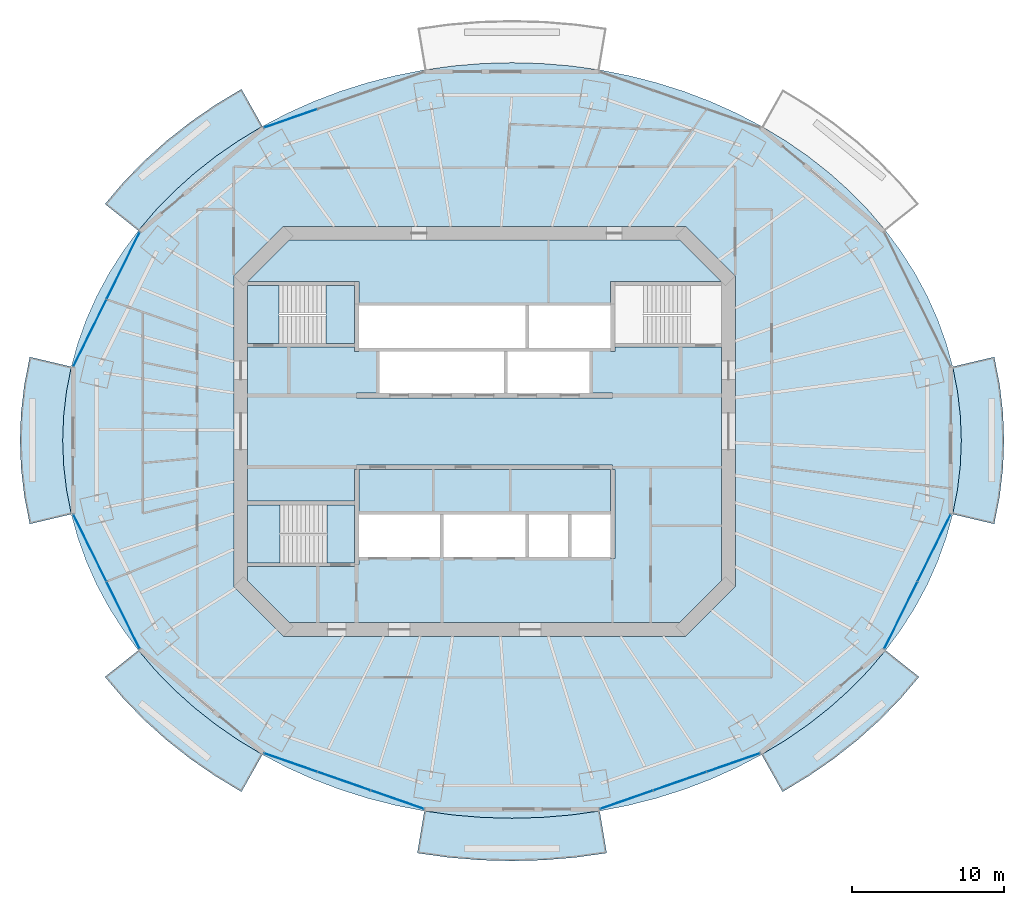
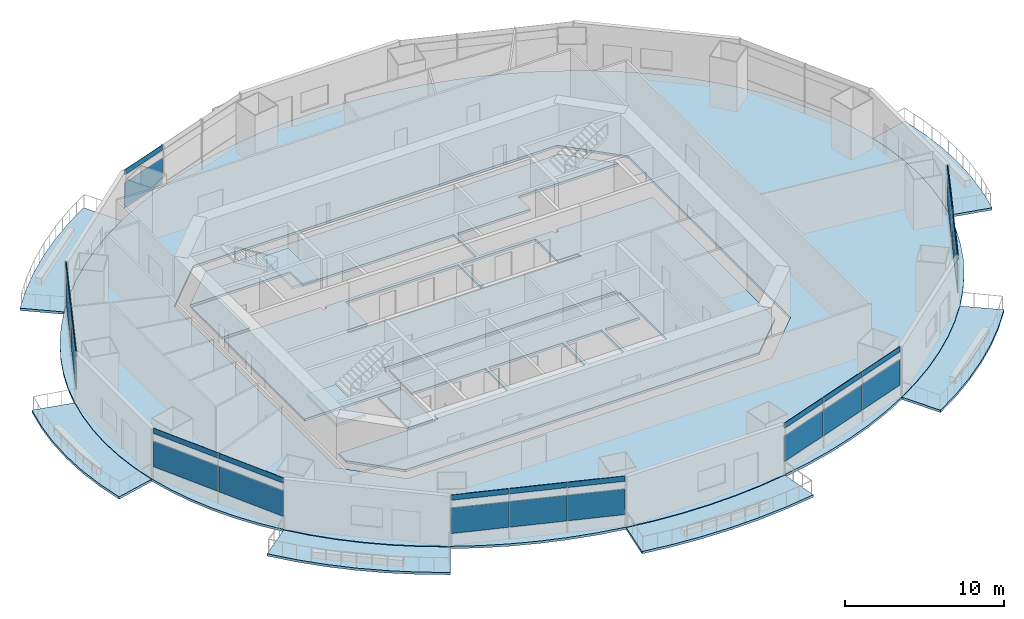
# One storey, part 9 of 16: 26 plates, 12 slabs, 14 elements without a shape of their own.
"""IFC4 building model written with IfcOpenShell, lengths in metres."""

from ifc_helpers import new_model, si_unit, direction, frame, origin, origin_2d, place, context, subcontext, project, spatial, polyline, rectangle, outline, extrude, material, layer, layer_set, type_object, element, aggregate, save


model = new_model("IFC4")

# Units and contexts
model_context = context("Model", 3, precision=1e-05, world=origin(), true_north=direction((0.0, 1.0)))
body_context = subcontext(model_context, "Body", "Model", "MODEL_VIEW")
ifc_project = project(units=[si_unit("LENGTHUNIT", "METRE"), si_unit("AREAUNIT", "SQUARE_METRE"), si_unit("VOLUMEUNIT", "CUBIC_METRE"), si_unit("PLANEANGLEUNIT", "RADIAN"), si_unit("MASSUNIT", "GRAM", prefix="KILO")], contexts=[model_context])

# Site, building, storey
site_placement = place(None, origin())
site = spatial("IfcSite", under=ifc_project, at=site_placement, CompositionType="ELEMENT")
building_placement = place(site_placement, origin())
building = spatial("IfcBuilding", under=site, at=building_placement, Name="Marenthal Gate Tower", CompositionType="ELEMENT")
storey_placement = place(building_placement, frame((0.0, 0.0, 268.949951171875)))
storey = spatial("IfcBuildingStorey", under=building, at=storey_placement, Name="L60", CompositionType="ELEMENT", Elevation=268.949951171875)

# Slabs
ifc_material_1 = material(Name="Concrete 40 MPa", Category="concrete")
ifc_layer_1 = layer(ifc_material_1, 0.179931640625)
ifc_layer_set_1 = layer_set([ifc_layer_1], Name="Balcony deck 180")
slab_type_1 = type_object("IfcSlabType", Name="Balcony deck 180", PredefinedType="USERDEFINED", material=ifc_layer_set_1)
slab_1_placement = place(storey_placement, frame((0.0, 0.0, -0.219970703125)))
element("IfcSlab", 1, at=slab_1_placement, inside=storey, type_object=slab_type_1, Name="Balcony deck L60 bay 6", ObjectType="BALCONY", PredefinedType="USERDEFINED", context=body_context, shape_type="SweptSolid", body=[
    extrude(outline(polyline([(-14.578857421875, 20.010498046875), (-16.14697265625, 19.065673828125), (-17.63818359375, 18.03662109375), (-19.046142578125, 16.927734375), (-20.364990234375, 15.743896484375), (-21.5888671875, 14.489990234375), (-22.712646484375, 13.17138671875), (-24.90478515625, 14.91357421875), (-23.656982421875, 16.37744140625), (-22.302734375, 17.76513671875), (-20.84814453125, 19.07080078125), (-19.300048828125, 20.290283203125), (-17.664794921875, 21.41845703125), (-15.9501953125, 22.45166015625), (-14.578857421875, 20.010498046875)])), origin(), (0.0, 0.0, 1.0), 0.179931640625),
])
slab_2_placement = place(storey_placement, frame((0.0, 0.0, -0.219970703125)))
element("IfcSlab", 2, at=slab_2_placement, inside=storey, type_object=slab_type_1, Name="Balcony deck L60 bay 8", ObjectType="BALCONY", PredefinedType="USERDEFINED", context=body_context, shape_type="SweptSolid", body=[
    extrude(outline(polyline([(-27.114501953125, 4.23583984375), (-27.4287109375, 2.635498046875), (-27.617919921875, 1.021240234375), (-27.680908203125, -0.60009765625), (-27.617919921875, -2.22119140625), (-27.4287109375, -3.83544921875), (-27.114501953125, -5.435791015625), (-29.83935546875, -6.08056640625), (-30.195068359375, -4.2685546875), (-30.409423828125, -2.438720703125), (-30.48095703125, -0.60009765625), (-30.409423828125, 1.23876953125), (-30.195068359375, 3.068603515625), (-29.83935546875, 4.880615234375), (-27.114501953125, 4.23583984375)])), origin(), (0.0, 0.0, 1.0), 0.179931640625),
])
slab_3_placement = place(storey_placement, frame((0.0, 0.0, -0.219970703125)))
element("IfcSlab", 3, at=slab_3_placement, inside=storey, type_object=slab_type_1, Name="Balcony deck L60 bay 10", ObjectType="BALCONY", PredefinedType="USERDEFINED", context=body_context, shape_type="SweptSolid", body=[
    extrude(outline(polyline([(-22.712646484375, -14.37158203125), (-21.5888671875, -15.68994140625), (-20.364990234375, -16.94384765625), (-19.046142578125, -18.127685546875), (-17.63818359375, -19.236572265625), (-16.14697265625, -20.265625), (-14.578857421875, -21.21044921875), (-15.9501953125, -23.651611328125), (-17.664794921875, -22.618408203125), (-19.300048828125, -21.490234375), (-20.84814453125, -20.27099609375), (-22.302734375, -18.965087890625), (-23.656982421875, -17.577392578125), (-24.90478515625, -16.113525390625), (-22.712646484375, -14.37158203125)])), origin(), (0.0, 0.0, 1.0), 0.179931640625),
])
slab_4_placement = place(storey_placement, frame((0.0, 0.0, -0.219970703125)))
element("IfcSlab", 4, at=slab_4_placement, inside=storey, type_object=slab_type_1, Name="Balcony deck L60 bay 12", ObjectType="BALCONY", PredefinedType="USERDEFINED", context=body_context, shape_type="SweptSolid", body=[
    extrude(outline(polyline([(-3.951416015625, -24.91162109375), (-2.048095703125, -25.17578125), (-0.128173828125, -25.3349609375), (1.800048828125, -25.387939453125), (3.72802734375, -25.3349609375), (5.64794921875, -25.17578125), (7.551513671875, -24.91162109375), (8.013427734375, -27.67333984375), (5.9560546875, -27.958984375), (3.882080078125, -28.130615234375), (1.800048828125, -28.18798828125), (-0.2822265625, -28.130615234375), (-2.35595703125, -27.958984375), (-4.413330078125, -27.67333984375), (-3.951416015625, -24.91162109375)])), origin(), (0.0, 0.0, 1.0), 0.179931640625),
])
slab_5_placement = place(storey_placement, frame((0.0, 0.0, -0.219970703125)))
element("IfcSlab", 5, at=slab_5_placement, inside=storey, type_object=slab_type_1, Name="Balcony deck L60 bay 14", ObjectType="BALCONY", PredefinedType="USERDEFINED", context=body_context, shape_type="SweptSolid", body=[
    extrude(outline(polyline([(18.1787109375, -21.21044921875), (19.746826171875, -20.265625), (21.23828125, -19.236572265625), (22.646240234375, -18.127685546875), (23.965087890625, -16.94384765625), (25.188720703125, -15.68994140625), (26.3125, -14.37158203125), (28.504638671875, -16.113525390625), (27.257080078125, -17.577392578125), (25.90283203125, -18.965087890625), (24.4482421875, -20.27099609375), (22.89990234375, -21.490234375), (21.264892578125, -22.618408203125), (19.55029296875, -23.651611328125), (18.1787109375, -21.21044921875)])), origin(), (0.0, 0.0, 1.0), 0.179931640625),
])
slab_6_placement = place(storey_placement, frame((0.0, 0.0, -0.219970703125)))
element("IfcSlab", 6, at=slab_6_placement, inside=storey, type_object=slab_type_1, Name="Balcony deck L60 bay 16", ObjectType="BALCONY", PredefinedType="USERDEFINED", context=body_context, shape_type="SweptSolid", body=[
    extrude(outline(polyline([(30.714599609375, -5.435791015625), (31.02880859375, -3.83544921875), (31.218017578125, -2.22119140625), (31.281005859375, -0.60009765625), (31.218017578125, 1.021240234375), (31.02880859375, 2.635498046875), (30.714599609375, 4.23583984375), (33.439208984375, 4.880615234375), (33.795166015625, 3.068603515625), (34.009521484375, 1.23876953125), (34.0810546875, -0.60009765625), (34.009521484375, -2.438720703125), (33.795166015625, -4.2685546875), (33.439208984375, -6.08056640625), (30.714599609375, -5.435791015625)])), origin(), (0.0, 0.0, 1.0), 0.179931640625),
])
ifc_material_2 = material(Name="Concrete 50 MPa", Category="concrete")
ifc_layer_2 = layer(ifc_material_2, 0.179931640625)
ifc_layer_set_2 = layer_set([ifc_layer_2], Name="Core floor slab 180")
slab_type_2 = type_object("IfcSlabType", Name="Core floor slab 180", PredefinedType="FLOOR", material=ifc_layer_set_2)
slab_7_placement = place(storey_placement, frame((0.0, 0.0, -0.179931640625)))
element("IfcSlab", 7, at=slab_7_placement, inside=storey, type_object=slab_type_2, Name="Core floor L60", PredefinedType="FLOOR", context=body_context, shape_type="SweptSolid", body=[
    extrude(outline(polyline([(12.813720703125, -12.550048828125), (-12.813720703125, -12.550048828125), (-15.550048828125, -9.813720703125), (-15.550048828125, -8.875), (-8.550048828125, -8.875), (-8.550048828125, -8.75), (-8.25, -8.75), (-8.25, -8.239990234375), (-5.60009765625, -8.239990234375), (-2.909912109375, -8.239990234375), (-2.909912109375, -5.4599609375), (-5.60009765625, -5.4599609375), (-8.25, -5.4599609375), (-8.25, -2.5), (8.25, -2.5), (8.25, -5.4599609375), (5.7099609375, -5.4599609375), (5.7099609375, -8.239990234375), (8.25, -8.239990234375), (8.25, -8.35009765625), (8.550048828125, -8.35009765625), (8.550048828125, -2.5), (8.39990234375, -2.5), (8.39990234375, -2.199951171875), (-8.39990234375, -2.199951171875), (-8.39990234375, -2.5), (-8.550048828125, -2.5), (-8.550048828125, -4.574951171875), (-15.550048828125, -4.574951171875), (-15.550048828125, 5.52490234375), (-8.550048828125, 5.52490234375), (-8.550048828125, 5.239990234375), (-8.25, 5.239990234375), (-8.25, 5.4599609375), (-5.60009765625, 5.4599609375), (-2.800048828125, 5.4599609375), (0.0, 5.4599609375), (2.68994140625, 5.4599609375), (2.68994140625, 8.239990234375), (0.0, 8.239990234375), (-2.800048828125, 8.239990234375), (-5.60009765625, 8.239990234375), (-8.25, 8.239990234375), (-8.25, 8.35009765625), (-8.25, 9.824951171875), (-8.550048828125, 9.824951171875), (-15.53857421875, 9.824951171875), (-12.813720703125, 12.550048828125), (12.813720703125, 12.550048828125), (15.53857421875, 9.824951171875), (8.550048828125, 9.824951171875), (8.25, 9.824951171875), (8.25, 8.35009765625), (8.25, 8.239990234375), (5.60009765625, 8.239990234375), (2.909912109375, 8.239990234375), (2.909912109375, 5.4599609375), (5.60009765625, 5.4599609375), (8.25, 5.4599609375), (8.25, 5.239990234375), (8.550048828125, 5.239990234375), (8.550048828125, 5.52490234375), (15.550048828125, 5.52490234375), (15.550048828125, -9.813720703125), (12.813720703125, -12.550048828125)]), holes=[polyline([(2.68994140625, -8.239990234375), (2.68994140625, -5.4599609375), (0.0, -5.4599609375), (-2.68994140625, -5.4599609375), (-2.68994140625, -8.239990234375), (0.0, -8.239990234375), (2.68994140625, -8.239990234375)]), polyline([(-6.889892578125, 5.239990234375), (-6.889892578125, 2.5), (-8.39990234375, 2.5), (-8.39990234375, 2.199951171875), (8.39990234375, 2.199951171875), (8.39990234375, 2.5), (6.889892578125, 2.5), (6.889892578125, 5.239990234375), (4.199951171875, 5.239990234375), (1.510009765625, 5.239990234375), (1.510009765625, 2.5), (1.2900390625, 2.5), (1.2900390625, 5.239990234375), (-1.39990234375, 5.239990234375), (-4.199951171875, 5.239990234375), (-6.889892578125, 5.239990234375)]), polyline([(5.489990234375, -5.4599609375), (2.909912109375, -5.4599609375), (2.909912109375, -8.239990234375), (5.489990234375, -8.239990234375), (5.489990234375, -5.4599609375)])]), origin(), (0.0, 0.0, 1.0), 0.179931640625),
])
slab_8_placement = place(storey_placement, frame((0.0, 0.0, -0.179931640625)))
element("IfcSlab", 8, at=slab_8_placement, inside=storey, type_object=slab_type_2, Name="Core floor L60", PredefinedType="FLOOR", context=body_context, shape_type="SweptSolid", body=[
    extrude(outline(polyline([(-15.550048828125, 9.574951171875), (-13.5, 9.574951171875), (-13.5, 5.77490234375), (-15.550048828125, 5.77490234375), (-15.550048828125, 9.574951171875)])), origin(), (0.0, 0.0, 1.0), 0.179931640625),
])
slab_9_placement = place(storey_placement, frame((0.0, 0.0, -0.179931640625)))
element("IfcSlab", 9, at=slab_9_placement, inside=storey, type_object=slab_type_2, Name="Core floor L60", PredefinedType="FLOOR", context=body_context, shape_type="SweptSolid", body=[
    extrude(outline(polyline([(-8.550048828125, -8.625), (-10.35009765625, -8.625), (-10.35009765625, -4.824951171875), (-8.550048828125, -4.824951171875), (-8.550048828125, -8.625)])), origin(), (0.0, 0.0, 1.0), 0.179931640625),
])
ifc_material_3 = material(Name="Concrete 35 MPa", Category="concrete")
ifc_layer_3 = layer(ifc_material_3, 0.179931640625)
ifc_layer_set_3 = layer_set([ifc_layer_3], Name="Floor slab 180")
slab_type_3 = type_object("IfcSlabType", Name="Floor slab 180", PredefinedType="FLOOR", material=ifc_layer_set_3)
slab_10_placement = place(storey_placement, frame((0.0, 0.0, -0.179931640625)))
element("IfcSlab", 10, at=slab_10_placement, inside=storey, type_object=slab_type_3, Name="SL-L60-01", PredefinedType="FLOOR", context=body_context, shape_type="SweptSolid", body=[
    extrude(outline(polyline([(31.281005859375, -0.60009765625), (31.218017578125, 1.021240234375), (31.02880859375, 2.635498046875), (30.714599609375, 4.23583984375), (30.276611328125, 5.815673828125), (29.71630859375, 7.367919921875), (29.036865234375, 8.885986328125), (28.24072265625, 10.363525390625), (27.331298828125, 11.7939453125), (26.3125, 13.17138671875), (25.188720703125, 14.489990234375), (23.965087890625, 15.743896484375), (22.646240234375, 16.927734375), (21.23828125, 18.03662109375), (19.746826171875, 19.065673828125), (18.1787109375, 20.010498046875), (16.54052734375, 20.866943359375), (14.839111328125, 21.631591796875), (13.081787109375, 22.301025390625), (11.2763671875, 22.87255859375), (9.43017578125, 23.343505859375), (7.551513671875, 23.711669921875), (5.64794921875, 23.975830078125), (3.72802734375, 24.135009765625), (1.800048828125, 24.18798828125), (-0.128173828125, 24.135009765625), (-2.048095703125, 23.975830078125), (-3.951416015625, 23.711669921875), (-5.830078125, 23.343505859375), (-7.676513671875, 22.87255859375), (-9.48193359375, 22.301025390625), (-11.239013671875, 21.631591796875), (-12.9404296875, 20.866943359375), (-14.578857421875, 20.010498046875), (-16.14697265625, 19.065673828125), (-17.63818359375, 18.03662109375), (-19.046142578125, 16.927734375), (-20.364990234375, 15.743896484375), (-21.5888671875, 14.489990234375), (-22.712646484375, 13.17138671875), (-23.731201171875, 11.7939453125), (-24.640625, 10.363525390625), (-25.43701171875, 8.885986328125), (-26.116455078125, 7.367919921875), (-26.676513671875, 5.815673828125), (-27.114501953125, 4.23583984375), (-27.4287109375, 2.635498046875), (-27.617919921875, 1.021240234375), (-27.680908203125, -0.60009765625), (-27.617919921875, -2.22119140625), (-27.4287109375, -3.83544921875), (-27.114501953125, -5.435791015625), (-26.676513671875, -7.015625), (-26.116455078125, -8.56787109375), (-25.43701171875, -10.0859375), (-24.640625, -11.5634765625), (-23.731201171875, -12.993896484375), (-22.712646484375, -14.37158203125), (-21.5888671875, -15.68994140625), (-20.364990234375, -16.94384765625), (-19.046142578125, -18.127685546875), (-17.63818359375, -19.236572265625), (-16.14697265625, -20.265625), (-14.578857421875, -21.21044921875), (-12.9404296875, -22.06689453125), (-11.239013671875, -22.831787109375), (-9.48193359375, -23.501220703125), (-7.676513671875, -24.072509765625), (-5.830078125, -24.54345703125), (-3.951416015625, -24.91162109375), (-2.048095703125, -25.17578125), (-0.128173828125, -25.3349609375), (1.800048828125, -25.387939453125), (3.72802734375, -25.3349609375), (5.64794921875, -25.17578125), (7.551513671875, -24.91162109375), (9.43017578125, -24.54345703125), (11.2763671875, -24.072509765625), (13.081787109375, -23.501220703125), (14.839111328125, -22.831787109375), (16.54052734375, -22.06689453125), (18.1787109375, -21.21044921875), (19.746826171875, -20.265625), (21.23828125, -19.236572265625), (22.646240234375, -18.127685546875), (23.965087890625, -16.94384765625), (25.188720703125, -15.68994140625), (26.3125, -14.37158203125), (27.331298828125, -12.993896484375), (28.24072265625, -11.5634765625), (29.036865234375, -10.0859375), (29.71630859375, -8.56787109375), (30.276611328125, -7.015625), (30.714599609375, -5.435791015625), (31.02880859375, -3.83544921875), (31.218017578125, -2.22119140625), (31.281005859375, -0.60009765625)]), holes=[polyline([(13.186279296875, -13.449951171875), (16.449951171875, -10.186279296875), (16.449951171875, 10.186279296875), (13.186279296875, 13.449951171875), (-13.186279296875, 13.449951171875), (-16.449951171875, 10.186279296875), (-16.449951171875, -10.186279296875), (-13.186279296875, -13.449951171875), (13.186279296875, -13.449951171875)])]), origin(), (0.0, 0.0, 1.0), 0.179931640625),
])

# Curtain wall, plate
ifc_material_4 = material(Name="Aluminium and glass", Category="aluminium")
curtain_wall_type_1 = type_object("IfcCurtainWallType", Name="Curtain wall typical mid", PredefinedType="NOTDEFINED", material=ifc_material_4)
curtain_wall_1_placement = place(storey_placement, origin())
curtain_wall_1 = element("IfcCurtainWall", 11, at=curtain_wall_1_placement, inside=storey, type_object=curtain_wall_type_1, Name="Curtain wall L60 bay 5", PredefinedType="NOTDEFINED")
ifc_material_5 = material(Name="Glass, laminated insulating unit", Category="glass")
ifc_layer_4 = layer(ifc_material_5, 0.030029296875)
ifc_layer_set_4 = layer_set([ifc_layer_4], Name="Glass panel 30 typical mid")
plate_type_1 = type_object("IfcPlateType", Name="Glass panel 30 typical mid", PredefinedType="CURTAIN_PANEL", material=ifc_layer_set_4)
plate_1_placement = place(storey_placement, frame((-12.729248046875, 20.53125, 0.89990234375), z_axis=(0.0, 0.0, 1.0), x_axis=(-0.944444900709, -0.328669787971, 0.0)))
plate_1 = element("IfcPlate", 12, at=plate_1_placement, type_object=plate_type_1, Name="Glass panel L60 bay 5.3", PredefinedType="CURTAIN_PANEL", context=body_context, shape_type="SweptSolid", body=[
    extrude(rectangle(XDim=3.655517578125, YDim=0.030029296875, at=origin_2d()), origin(), (0.0, 0.0, 1.0), 1.949951171875),
])
aggregate(curtain_wall_1, [plate_1])

# Curtain wall, plates
curtain_wall_2_placement = place(storey_placement, origin())
curtain_wall_2 = element("IfcCurtainWall", 13, at=curtain_wall_2_placement, inside=storey, type_object=curtain_wall_type_1, Name="Curtain wall L60 bay 7", PredefinedType="NOTDEFINED")
plate_2_placement = place(storey_placement, frame((-23.71533203125, 10.8681640625, 0.89990234375), z_axis=(0.0, 0.0, 1.0), x_axis=(-0.442191564697, -0.896920632002, 0.0)))
plate_2 = element("IfcPlate", 14, at=plate_2_placement, type_object=plate_type_1, Name="Glass panel L60 bay 7.1", PredefinedType="CURTAIN_PANEL", context=body_context, shape_type="SweptSolid", body=[
    extrude(rectangle(XDim=4.8671875, YDim=0.030029296875, at=origin_2d()), origin(), (0.0, 0.0, 1.0), 1.949951171875),
])
plate_3_placement = place(storey_placement, frame((-25.894287109375, 6.448974609375, 0.89990234375), z_axis=(0.0, 0.0, 1.0), x_axis=(-0.442191564697, -0.896920632002, 0.0)))
plate_3 = element("IfcPlate", 15, at=plate_3_placement, type_object=plate_type_1, Name="Glass panel L60 bay 7.2", PredefinedType="CURTAIN_PANEL", context=body_context, shape_type="SweptSolid", body=[
    extrude(rectangle(XDim=4.8671875, YDim=0.030029296875, at=origin_2d()), origin(), (0.0, 0.0, 1.0), 1.949951171875),
])
aggregate(curtain_wall_2, [plate_2, plate_3])

curtain_wall_3_placement = place(storey_placement, origin())
curtain_wall_3 = element("IfcCurtainWall", 16, at=curtain_wall_3_placement, inside=storey, type_object=curtain_wall_type_1, Name="Curtain wall L60 bay 9", PredefinedType="NOTDEFINED")
plate_4_placement = place(storey_placement, frame((-25.894287109375, -7.64892578125, 0.89990234375), z_axis=(0.0, 0.0, 1.0), x_axis=(0.442191564697, -0.896920632002, 0.0)))
plate_4 = element("IfcPlate", 17, at=plate_4_placement, type_object=plate_type_1, Name="Glass panel L60 bay 9.1", PredefinedType="CURTAIN_PANEL", context=body_context, shape_type="SweptSolid", body=[
    extrude(rectangle(XDim=4.8671875, YDim=0.030029296875, at=origin_2d()), origin(), (0.0, 0.0, 1.0), 1.949951171875),
])
plate_5_placement = place(storey_placement, frame((-23.71533203125, -12.068359375, 0.89990234375), z_axis=(0.0, 0.0, 1.0), x_axis=(0.442191564697, -0.896920632002, 0.0)))
plate_5 = element("IfcPlate", 18, at=plate_5_placement, type_object=plate_type_1, Name="Glass panel L60 bay 9.2", PredefinedType="CURTAIN_PANEL", context=body_context, shape_type="SweptSolid", body=[
    extrude(rectangle(XDim=4.8671875, YDim=0.030029296875, at=origin_2d()), origin(), (0.0, 0.0, 1.0), 1.949951171875),
])
aggregate(curtain_wall_3, [plate_4, plate_5])

curtain_wall_4_placement = place(storey_placement, origin())
curtain_wall_4 = element("IfcCurtainWall", 19, at=curtain_wall_4_placement, inside=storey, type_object=curtain_wall_type_1, Name="Curtain wall L60 bay 11", PredefinedType="NOTDEFINED")
plate_6_placement = place(storey_placement, frame((-12.729248046875, -21.731201171875, 0.89990234375), z_axis=(0.0, 0.0, 1.0), x_axis=(0.944444900709, -0.328669787971, 0.0)))
plate_6 = element("IfcPlate", 20, at=plate_6_placement, type_object=plate_type_1, Name="Glass panel L60 bay 11.1", PredefinedType="CURTAIN_PANEL", context=body_context, shape_type="SweptSolid", body=[
    extrude(rectangle(XDim=3.655517578125, YDim=0.030029296875, at=origin_2d()), origin(), (0.0, 0.0, 1.0), 1.949951171875),
])
plate_7_placement = place(storey_placement, frame((-9.219970703125, -22.952392578125, 0.89990234375), z_axis=(0.0, 0.0, 1.0), x_axis=(0.944444900709, -0.328669787971, 0.0)))
plate_7 = element("IfcPlate", 21, at=plate_7_placement, type_object=plate_type_1, Name="Glass panel L60 bay 11.2", PredefinedType="CURTAIN_PANEL", context=body_context, shape_type="SweptSolid", body=[
    extrude(rectangle(XDim=3.655517578125, YDim=0.030029296875, at=origin_2d()), origin(), (0.0, 0.0, 1.0), 1.949951171875),
])
plate_8_placement = place(storey_placement, frame((-5.7109375, -24.173583984375, 0.89990234375), z_axis=(0.0, 0.0, 1.0), x_axis=(0.944444900709, -0.328669787971, 0.0)))
plate_8 = element("IfcPlate", 22, at=plate_8_placement, type_object=plate_type_1, Name="Glass panel L60 bay 11.3", PredefinedType="CURTAIN_PANEL", context=body_context, shape_type="SweptSolid", body=[
    extrude(rectangle(XDim=3.655517578125, YDim=0.030029296875, at=origin_2d()), origin(), (0.0, 0.0, 1.0), 1.949951171875),
])
aggregate(curtain_wall_4, [plate_6, plate_7, plate_8])

curtain_wall_5_placement = place(storey_placement, origin())
curtain_wall_5 = element("IfcCurtainWall", 23, at=curtain_wall_5_placement, inside=storey, type_object=curtain_wall_type_1, Name="Curtain wall L60 bay 13", PredefinedType="NOTDEFINED")
plate_9_placement = place(storey_placement, frame((9.31103515625, -24.173583984375, 0.89990234375), z_axis=(0.0, 0.0, 1.0), x_axis=(0.944444900709, 0.328669787971, 0.0)))
plate_9 = element("IfcPlate", 24, at=plate_9_placement, type_object=plate_type_1, Name="Glass panel L60 bay 13.1", PredefinedType="CURTAIN_PANEL", context=body_context, shape_type="SweptSolid", body=[
    extrude(rectangle(XDim=3.655517578125, YDim=0.030029296875, at=origin_2d()), origin(), (0.0, 0.0, 1.0), 1.949951171875),
])
plate_10_placement = place(storey_placement, frame((12.820068359375, -22.952392578125, 0.89990234375), z_axis=(0.0, 0.0, 1.0), x_axis=(0.944444900709, 0.328669787971, 0.0)))
plate_10 = element("IfcPlate", 25, at=plate_10_placement, type_object=plate_type_1, Name="Glass panel L60 bay 13.2", PredefinedType="CURTAIN_PANEL", context=body_context, shape_type="SweptSolid", body=[
    extrude(rectangle(XDim=3.655517578125, YDim=0.030029296875, at=origin_2d()), origin(), (0.0, 0.0, 1.0), 1.949951171875),
])
plate_11_placement = place(storey_placement, frame((16.3291015625, -21.731201171875, 0.89990234375), z_axis=(0.0, 0.0, 1.0), x_axis=(0.944444900709, 0.328669787971, 0.0)))
plate_11 = element("IfcPlate", 26, at=plate_11_placement, type_object=plate_type_1, Name="Glass panel L60 bay 13.3", PredefinedType="CURTAIN_PANEL", context=body_context, shape_type="SweptSolid", body=[
    extrude(rectangle(XDim=3.655517578125, YDim=0.030029296875, at=origin_2d()), origin(), (0.0, 0.0, 1.0), 1.949951171875),
])
aggregate(curtain_wall_5, [plate_9, plate_10, plate_11])

curtain_wall_6_placement = place(storey_placement, origin())
curtain_wall_6 = element("IfcCurtainWall", 27, at=curtain_wall_6_placement, inside=storey, type_object=curtain_wall_type_1, Name="Curtain wall L60 bay 15", PredefinedType="NOTDEFINED")
plate_12_placement = place(storey_placement, frame((27.3154296875, -12.068359375, 0.89990234375), z_axis=(0.0, 0.0, 1.0), x_axis=(0.442191564697, 0.896920632002, 0.0)))
plate_12 = element("IfcPlate", 28, at=plate_12_placement, type_object=plate_type_1, Name="Glass panel L60 bay 15.1", PredefinedType="CURTAIN_PANEL", context=body_context, shape_type="SweptSolid", body=[
    extrude(rectangle(XDim=4.8671875, YDim=0.030029296875, at=origin_2d()), origin(), (0.0, 0.0, 1.0), 1.949951171875),
])
plate_13_placement = place(storey_placement, frame((29.494140625, -7.64892578125, 0.89990234375), z_axis=(0.0, 0.0, 1.0), x_axis=(0.442191564697, 0.896920632002, 0.0)))
plate_13 = element("IfcPlate", 29, at=plate_13_placement, type_object=plate_type_1, Name="Glass panel L60 bay 15.2", PredefinedType="CURTAIN_PANEL", context=body_context, shape_type="SweptSolid", body=[
    extrude(rectangle(XDim=4.8671875, YDim=0.030029296875, at=origin_2d()), origin(), (0.0, 0.0, 1.0), 1.949951171875),
])
aggregate(curtain_wall_6, [plate_12, plate_13])

# Stair, slab
ifc_material_6 = material(Name="Concrete 40 MPa", Category="concrete")
stair_type = type_object("IfcStairType", Name="Exit stair 1800", PredefinedType="HALF_TURN_STAIR", material=ifc_material_6)
stair_1_placement = place(storey_placement, origin())
stair_1 = element("IfcStair", 30, at=stair_1_placement, inside=storey, type_object=stair_type, Name="Stair ST1", PredefinedType="HALF_TURN_STAIR")
ifc_material_7 = material(Name="Concrete 40 MPa", Category="concrete")
ifc_layer_5 = layer(ifc_material_7, 0.199951171875)
ifc_layer_set_5 = layer_set([ifc_layer_5], Name="Stair landing 200")
slab_type_4 = type_object("IfcSlabType", Name="Stair landing 200", PredefinedType="LANDING", material=ifc_layer_set_5)
slab_11_placement = place(storey_placement, frame((0.0, 0.0, 1.875)))
slab_11 = element("IfcSlab", 31, at=slab_11_placement, type_object=slab_type_4, Name="ST1 landing 1", PredefinedType="LANDING", context=body_context, shape_type="SweptSolid", body=[
    extrude(outline(polyline([(-10.419921875, 5.77490234375), (-8.550048828125, 5.77490234375), (-8.550048828125, 9.574951171875), (-10.419921875, 9.574951171875), (-10.419921875, 5.77490234375)])), origin(), (0.0, 0.0, 1.0), 0.199951171875),
])
aggregate(stair_1, [slab_11])

stair_2_placement = place(storey_placement, origin())
stair_2 = element("IfcStair", 32, at=stair_2_placement, inside=storey, type_object=stair_type, Name="Stair ST2", PredefinedType="HALF_TURN_STAIR")
slab_12_placement = place(storey_placement, frame((0.0, 0.0, 1.875)))
slab_12 = element("IfcSlab", 33, at=slab_12_placement, type_object=slab_type_4, Name="ST2 landing 1", PredefinedType="LANDING", context=body_context, shape_type="SweptSolid", body=[
    extrude(outline(polyline([(-15.550048828125, -8.625), (-13.429931640625, -8.625), (-13.429931640625, -4.824951171875), (-15.550048828125, -4.824951171875), (-15.550048828125, -8.625)])), origin(), (0.0, 0.0, 1.0), 0.199951171875),
])
aggregate(stair_2, [slab_12])

# Curtain wall, plate
ifc_material_8 = material(Name="Aluminium and glass", Category="aluminium")
curtain_wall_type_2 = type_object("IfcCurtainWallType", Name="Curtain wall crown clad", PredefinedType="NOTDEFINED", material=ifc_material_8)
curtain_wall_7_placement = place(storey_placement, origin())
curtain_wall_7 = element("IfcCurtainWall", 34, at=curtain_wall_7_placement, inside=storey, type_object=curtain_wall_type_2, Name="Curtain wall L60 bay 5 head band", PredefinedType="NOTDEFINED")
ifc_material_9 = material(Name="Terracotta cladding panel", Category="masonry")
ifc_layer_6 = layer(ifc_material_9, 0.031982421875)
ifc_layer_set_6 = layer_set([ifc_layer_6], Name="Terracotta panel 32 crown clad")
plate_type_2 = type_object("IfcPlateType", Name="Terracotta panel 32 crown clad", PredefinedType="CURTAIN_PANEL", material=ifc_layer_set_6)
plate_14_placement = place(storey_placement, frame((-12.729248046875, 20.53125, 3.4501953125), z_axis=(0.0, 0.0, 1.0), x_axis=(-0.944444900709, -0.328669787971, 0.0)))
plate_14 = element("IfcPlate", 35, at=plate_14_placement, type_object=plate_type_2, Name="Terracotta panel L60 bay 5.3 head band", PredefinedType="CURTAIN_PANEL", context=body_context, shape_type="SweptSolid", body=[
    extrude(rectangle(XDim=3.655517578125, YDim=0.031982421875, at=origin_2d()), origin(), (0.0, 0.0, 1.0), 0.39990234375),
])
aggregate(curtain_wall_7, [plate_14])

# Curtain wall, plates
curtain_wall_8_placement = place(storey_placement, origin())
curtain_wall_8 = element("IfcCurtainWall", 36, at=curtain_wall_8_placement, inside=storey, type_object=curtain_wall_type_2, Name="Curtain wall L60 bay 7 head band", PredefinedType="NOTDEFINED")
plate_15_placement = place(storey_placement, frame((-23.71533203125, 10.8681640625, 3.4501953125), z_axis=(0.0, 0.0, 1.0), x_axis=(-0.442191564697, -0.896920632002, 0.0)))
plate_15 = element("IfcPlate", 37, at=plate_15_placement, type_object=plate_type_2, Name="Terracotta panel L60 bay 7.1 head band", PredefinedType="CURTAIN_PANEL", context=body_context, shape_type="SweptSolid", body=[
    extrude(rectangle(XDim=4.8671875, YDim=0.031982421875, at=origin_2d()), origin(), (0.0, 0.0, 1.0), 0.39990234375),
])
plate_16_placement = place(storey_placement, frame((-25.894287109375, 6.448974609375, 3.4501953125), z_axis=(0.0, 0.0, 1.0), x_axis=(-0.442191564697, -0.896920632002, 0.0)))
plate_16 = element("IfcPlate", 38, at=plate_16_placement, type_object=plate_type_2, Name="Terracotta panel L60 bay 7.2 head band", PredefinedType="CURTAIN_PANEL", context=body_context, shape_type="SweptSolid", body=[
    extrude(rectangle(XDim=4.8671875, YDim=0.031982421875, at=origin_2d()), origin(), (0.0, 0.0, 1.0), 0.39990234375),
])
aggregate(curtain_wall_8, [plate_15, plate_16])

curtain_wall_9_placement = place(storey_placement, origin())
curtain_wall_9 = element("IfcCurtainWall", 39, at=curtain_wall_9_placement, inside=storey, type_object=curtain_wall_type_2, Name="Curtain wall L60 bay 9 head band", PredefinedType="NOTDEFINED")
plate_17_placement = place(storey_placement, frame((-25.894287109375, -7.64892578125, 3.4501953125), z_axis=(0.0, 0.0, 1.0), x_axis=(0.442191564697, -0.896920632002, 0.0)))
plate_17 = element("IfcPlate", 40, at=plate_17_placement, type_object=plate_type_2, Name="Terracotta panel L60 bay 9.1 head band", PredefinedType="CURTAIN_PANEL", context=body_context, shape_type="SweptSolid", body=[
    extrude(rectangle(XDim=4.8671875, YDim=0.031982421875, at=origin_2d()), origin(), (0.0, 0.0, 1.0), 0.39990234375),
])
plate_18_placement = place(storey_placement, frame((-23.71533203125, -12.068359375, 3.4501953125), z_axis=(0.0, 0.0, 1.0), x_axis=(0.442191564697, -0.896920632002, 0.0)))
plate_18 = element("IfcPlate", 41, at=plate_18_placement, type_object=plate_type_2, Name="Terracotta panel L60 bay 9.2 head band", PredefinedType="CURTAIN_PANEL", context=body_context, shape_type="SweptSolid", body=[
    extrude(rectangle(XDim=4.8671875, YDim=0.031982421875, at=origin_2d()), origin(), (0.0, 0.0, 1.0), 0.39990234375),
])
aggregate(curtain_wall_9, [plate_17, plate_18])

curtain_wall_10_placement = place(storey_placement, origin())
curtain_wall_10 = element("IfcCurtainWall", 42, at=curtain_wall_10_placement, inside=storey, type_object=curtain_wall_type_2, Name="Curtain wall L60 bay 11 head band", PredefinedType="NOTDEFINED")
plate_19_placement = place(storey_placement, frame((-12.729248046875, -21.731201171875, 3.4501953125), z_axis=(0.0, 0.0, 1.0), x_axis=(0.944444900709, -0.328669787971, 0.0)))
plate_19 = element("IfcPlate", 43, at=plate_19_placement, type_object=plate_type_2, Name="Terracotta panel L60 bay 11.1 head band", PredefinedType="CURTAIN_PANEL", context=body_context, shape_type="SweptSolid", body=[
    extrude(rectangle(XDim=3.655517578125, YDim=0.031982421875, at=origin_2d()), origin(), (0.0, 0.0, 1.0), 0.39990234375),
])
plate_20_placement = place(storey_placement, frame((-9.219970703125, -22.952392578125, 3.4501953125), z_axis=(0.0, 0.0, 1.0), x_axis=(0.944444900709, -0.328669787971, 0.0)))
plate_20 = element("IfcPlate", 44, at=plate_20_placement, type_object=plate_type_2, Name="Terracotta panel L60 bay 11.2 head band", PredefinedType="CURTAIN_PANEL", context=body_context, shape_type="SweptSolid", body=[
    extrude(rectangle(XDim=3.655517578125, YDim=0.031982421875, at=origin_2d()), origin(), (0.0, 0.0, 1.0), 0.39990234375),
])
plate_21_placement = place(storey_placement, frame((-5.7109375, -24.173583984375, 3.4501953125), z_axis=(0.0, 0.0, 1.0), x_axis=(0.944444900709, -0.328669787971, 0.0)))
plate_21 = element("IfcPlate", 45, at=plate_21_placement, type_object=plate_type_2, Name="Terracotta panel L60 bay 11.3 head band", PredefinedType="CURTAIN_PANEL", context=body_context, shape_type="SweptSolid", body=[
    extrude(rectangle(XDim=3.655517578125, YDim=0.031982421875, at=origin_2d()), origin(), (0.0, 0.0, 1.0), 0.39990234375),
])
aggregate(curtain_wall_10, [plate_19, plate_20, plate_21])

curtain_wall_11_placement = place(storey_placement, origin())
curtain_wall_11 = element("IfcCurtainWall", 46, at=curtain_wall_11_placement, inside=storey, type_object=curtain_wall_type_2, Name="Curtain wall L60 bay 13 head band", PredefinedType="NOTDEFINED")
plate_22_placement = place(storey_placement, frame((9.31103515625, -24.173583984375, 3.4501953125), z_axis=(0.0, 0.0, 1.0), x_axis=(0.944444900709, 0.328669787971, 0.0)))
plate_22 = element("IfcPlate", 47, at=plate_22_placement, type_object=plate_type_2, Name="Terracotta panel L60 bay 13.1 head band", PredefinedType="CURTAIN_PANEL", context=body_context, shape_type="SweptSolid", body=[
    extrude(rectangle(XDim=3.655517578125, YDim=0.031982421875, at=origin_2d()), origin(), (0.0, 0.0, 1.0), 0.39990234375),
])
plate_23_placement = place(storey_placement, frame((12.820068359375, -22.952392578125, 3.4501953125), z_axis=(0.0, 0.0, 1.0), x_axis=(0.944444900709, 0.328669787971, 0.0)))
plate_23 = element("IfcPlate", 48, at=plate_23_placement, type_object=plate_type_2, Name="Terracotta panel L60 bay 13.2 head band", PredefinedType="CURTAIN_PANEL", context=body_context, shape_type="SweptSolid", body=[
    extrude(rectangle(XDim=3.655517578125, YDim=0.031982421875, at=origin_2d()), origin(), (0.0, 0.0, 1.0), 0.39990234375),
])
plate_24_placement = place(storey_placement, frame((16.3291015625, -21.731201171875, 3.4501953125), z_axis=(0.0, 0.0, 1.0), x_axis=(0.944444900709, 0.328669787971, 0.0)))
plate_24 = element("IfcPlate", 49, at=plate_24_placement, type_object=plate_type_2, Name="Terracotta panel L60 bay 13.3 head band", PredefinedType="CURTAIN_PANEL", context=body_context, shape_type="SweptSolid", body=[
    extrude(rectangle(XDim=3.655517578125, YDim=0.031982421875, at=origin_2d()), origin(), (0.0, 0.0, 1.0), 0.39990234375),
])
aggregate(curtain_wall_11, [plate_22, plate_23, plate_24])

curtain_wall_12_placement = place(storey_placement, origin())
curtain_wall_12 = element("IfcCurtainWall", 50, at=curtain_wall_12_placement, inside=storey, type_object=curtain_wall_type_2, Name="Curtain wall L60 bay 15 head band", PredefinedType="NOTDEFINED")
plate_25_placement = place(storey_placement, frame((27.3154296875, -12.068359375, 3.4501953125), z_axis=(0.0, 0.0, 1.0), x_axis=(0.442191564697, 0.896920632002, 0.0)))
plate_25 = element("IfcPlate", 51, at=plate_25_placement, type_object=plate_type_2, Name="Terracotta panel L60 bay 15.1 head band", PredefinedType="CURTAIN_PANEL", context=body_context, shape_type="SweptSolid", body=[
    extrude(rectangle(XDim=4.8671875, YDim=0.031982421875, at=origin_2d()), origin(), (0.0, 0.0, 1.0), 0.39990234375),
])
plate_26_placement = place(storey_placement, frame((29.494140625, -7.64892578125, 3.4501953125), z_axis=(0.0, 0.0, 1.0), x_axis=(0.442191564697, 0.896920632002, 0.0)))
plate_26 = element("IfcPlate", 52, at=plate_26_placement, type_object=plate_type_2, Name="Terracotta panel L60 bay 15.2 head band", PredefinedType="CURTAIN_PANEL", context=body_context, shape_type="SweptSolid", body=[
    extrude(rectangle(XDim=4.8671875, YDim=0.031982421875, at=origin_2d()), origin(), (0.0, 0.0, 1.0), 0.39990234375),
])
aggregate(curtain_wall_12, [plate_25, plate_26])

save(model, "model.ifc")
